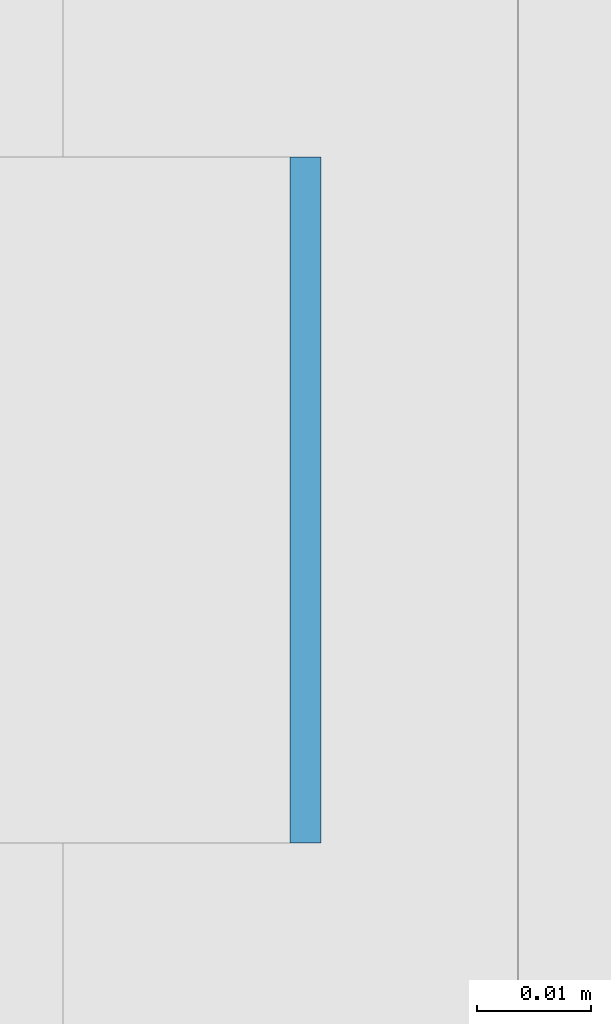
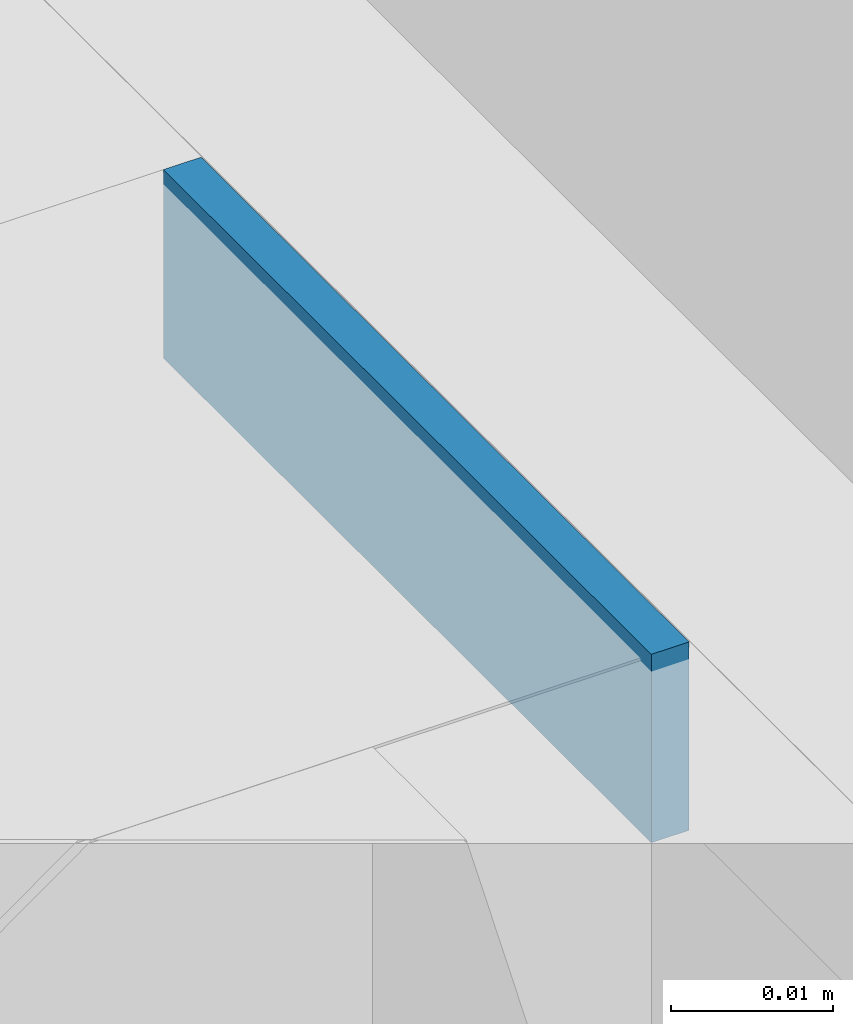
# One storey, part 343 of 646: 1 discrete accessory.
"""IFC4 building model written with IfcOpenShell, lengths in metres."""

from ifc_helpers import new_model, si_unit, direction, frame, origin, origin_2d, place, context, subcontext, project, spatial, rectangle, extrude, material, type_object, element, save


model = new_model("IFC4")

# Units and contexts
model_context = context("Model", 3, precision=1e-05, world=origin(), true_north=direction((0.0, 1.0)))
body_context = subcontext(model_context, "Body", "Model", "MODEL_VIEW")
ifc_project = project(units=[si_unit("LENGTHUNIT", "METRE"), si_unit("AREAUNIT", "SQUARE_METRE"), si_unit("VOLUMEUNIT", "CUBIC_METRE"), si_unit("PLANEANGLEUNIT", "RADIAN"), si_unit("MASSUNIT", "GRAM", prefix="KILO")], contexts=[model_context])

# Site, building, storey
site_placement = place(None, origin())
site = spatial("IfcSite", under=ifc_project, at=site_placement, CompositionType="ELEMENT")
building_placement = place(site_placement, origin())
building = spatial("IfcBuilding", under=site, at=building_placement, Name="Silverbay Arena", CompositionType="ELEMENT")
storey_placement = place(building_placement, frame((0.0, 0.0, 33.5)))
storey = spatial("IfcBuildingStorey", under=building, at=storey_placement, Name="L05", CompositionType="ELEMENT", Elevation=33.5)

# Discrete accessory
ifc_material = material(Name="Steel S355", Category="steel")
discrete_accessory_type = type_object("IfcDiscreteAccessoryType", Name="Steel bracket plate", PredefinedType="BRACKET", material=ifc_material)
discrete_accessory_placement = place(storey_placement, frame((53.871337890625, 87.428466796875, 12.98583984375), z_axis=(0.0, 0.0, 1.0), x_axis=(1.0, 0.0, 0.0)))
element("IfcDiscreteAccessory", 1, at=discrete_accessory_placement, inside=storey, type_object=discrete_accessory_type, Name="Curtain wall packing plate", PredefinedType="BRACKET", context=body_context, shape_type="SweptSolid", body=[
    extrude(rectangle(XDim=0.002685546875, YDim=0.06005859375, at=origin_2d()), origin(), (0.0, 0.0, 1.0), 0.01416015625),
])

save(model, "model.ifc")
